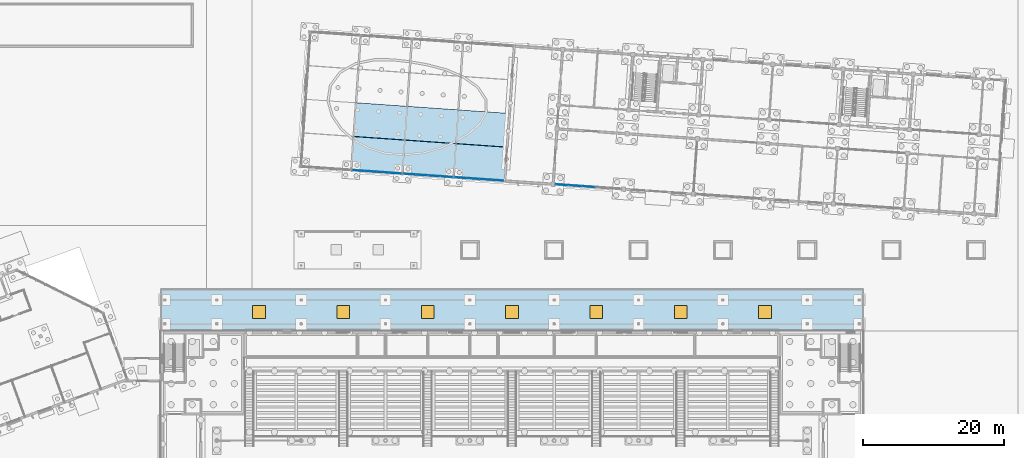
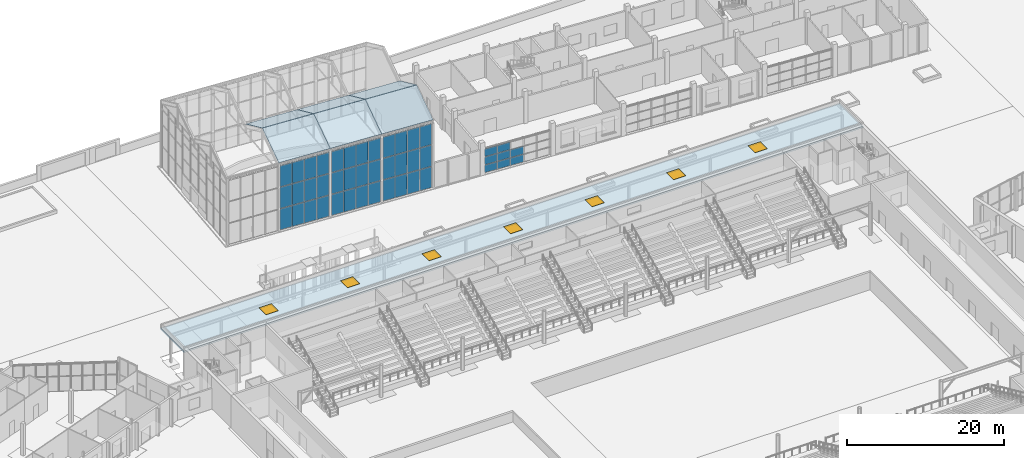
# One storey, part 68 of 157: 50 plates, 7 windows, 1 slab, 7 openings, 4 elements without a shape of their own.
"""IFC4 building model written with IfcOpenShell, lengths in metres."""

from ifc_helpers import new_model, si_unit, direction, frame, origin, origin_2d, place, context, subcontext, project, spatial, polyline, rectangle, outline, extrude, material, layer, layer_set, type_object, element, fill, aggregate, save


model = new_model("IFC4")

# Units and contexts
model_context = context("Model", 3, precision=1e-05, world=origin(), true_north=direction((0.0, 1.0)))
body_context = subcontext(model_context, "Body", "Model", "MODEL_VIEW")
ifc_project = project(units=[si_unit("LENGTHUNIT", "METRE"), si_unit("AREAUNIT", "SQUARE_METRE"), si_unit("VOLUMEUNIT", "CUBIC_METRE"), si_unit("PLANEANGLEUNIT", "RADIAN"), si_unit("MASSUNIT", "GRAM", prefix="KILO")], contexts=[model_context])

# Site, building, storey
site_placement = place(None, origin())
site = spatial("IfcSite", under=ifc_project, at=site_placement, CompositionType="ELEMENT")
building_placement = place(site_placement, origin())
building = spatial("IfcBuilding", under=site, at=building_placement, Name="Windward Yard Aquatics Centre", CompositionType="ELEMENT")
storey_placement = place(building_placement, origin())
storey = spatial("IfcBuildingStorey", under=building, at=storey_placement, Name="L00", CompositionType="ELEMENT", Elevation=0.0)

# Slab, openings, windows
ifc_material_1 = material(Name="Bituminous waterproofing membrane with root barrier")
ifc_layer_1 = layer(ifc_material_1, 0.005, Name="Waterproofing")
ifc_material_2 = material(Name="Mineral wool insulation")
ifc_layer_2 = layer(ifc_material_2, 0.08, Name="Insulation")
ifc_material_3 = material(Name="Cement screed laid to falls")
ifc_layer_3 = layer(ifc_material_3, 0.04, Name="Falls")
ifc_material_4 = material(Name="Concrete C35/45", Category="concrete")
ifc_layer_4 = layer(ifc_material_4, 0.125, Name="Structure")
ifc_layer_set_1 = layer_set([ifc_layer_1, ifc_layer_2, ifc_layer_3, ifc_layer_4], Name="A arcade roof slab 250")
slab_type = type_object("IfcSlabType", Name="A arcade roof slab 250", PredefinedType="ROOF", material=ifc_layer_set_1)
slab_placement = place(storey_placement, frame((0.0, 0.0, 4.35009765625)))
slab = element("IfcSlab", 1, at=slab_placement, inside=storey, type_object=slab_type, Name="A.S.ROOF", PredefinedType="ROOF", context=body_context, shape_type="SweptSolid", body=[
    extrude(outline(polyline([(52.0, 96.0), (152.0, 96.0), (152.0, 102.0), (52.0, 102.0), (52.0, 96.0)])), origin(), (0.0, 0.0, 1.0), 0.25),
])
opening_1_placement = place(slab_placement, frame((66.0, 98.699951171875, 0.0)))
opening_1 = element("IfcOpeningElement", 2, at=opening_1_placement, cuts=slab, Name="Opening ASK01", PredefinedType="OPENING", context=body_context, shape_type="SweptSolid", body=[
    extrude(rectangle(XDim=1.800048828125, YDim=1.800048828125, at=origin_2d()), origin(), (0.0, 0.0, 1.0), 0.25),
])
opening_2_placement = place(slab_placement, frame((78.0, 98.699951171875, 0.0)))
opening_2 = element("IfcOpeningElement", 3, at=opening_2_placement, cuts=slab, Name="Opening ASK02", PredefinedType="OPENING", context=body_context, shape_type="SweptSolid", body=[
    extrude(rectangle(XDim=1.800048828125, YDim=1.800048828125, at=origin_2d()), origin(), (0.0, 0.0, 1.0), 0.25),
])
opening_3_placement = place(slab_placement, frame((90.0, 98.699951171875, 0.0)))
opening_3 = element("IfcOpeningElement", 4, at=opening_3_placement, cuts=slab, Name="Opening ASK03", PredefinedType="OPENING", context=body_context, shape_type="SweptSolid", body=[
    extrude(rectangle(XDim=1.800048828125, YDim=1.800048828125, at=origin_2d()), origin(), (0.0, 0.0, 1.0), 0.25),
])
opening_4_placement = place(slab_placement, frame((102.0, 98.699951171875, 0.0)))
opening_4 = element("IfcOpeningElement", 5, at=opening_4_placement, cuts=slab, Name="Opening ASK04", PredefinedType="OPENING", context=body_context, shape_type="SweptSolid", body=[
    extrude(rectangle(XDim=1.800048828125, YDim=1.800048828125, at=origin_2d()), origin(), (0.0, 0.0, 1.0), 0.25),
])
opening_5_placement = place(slab_placement, frame((114.0, 98.699951171875, 0.0)))
opening_5 = element("IfcOpeningElement", 6, at=opening_5_placement, cuts=slab, Name="Opening ASK05", PredefinedType="OPENING", context=body_context, shape_type="SweptSolid", body=[
    extrude(rectangle(XDim=1.800048828125, YDim=1.800048828125, at=origin_2d()), origin(), (0.0, 0.0, 1.0), 0.25),
])
opening_6_placement = place(slab_placement, frame((126.0, 98.699951171875, 0.0)))
opening_6 = element("IfcOpeningElement", 7, at=opening_6_placement, cuts=slab, Name="Opening ASK06", PredefinedType="OPENING", context=body_context, shape_type="SweptSolid", body=[
    extrude(rectangle(XDim=1.800048828125, YDim=1.800048828125, at=origin_2d()), origin(), (0.0, 0.0, 1.0), 0.25),
])
opening_7_placement = place(slab_placement, frame((138.0, 98.699951171875, 0.0)))
opening_7 = element("IfcOpeningElement", 8, at=opening_7_placement, cuts=slab, Name="Opening ASK07", PredefinedType="OPENING", context=body_context, shape_type="SweptSolid", body=[
    extrude(rectangle(XDim=1.800048828125, YDim=1.800048828125, at=origin_2d()), origin(), (0.0, 0.0, 1.0), 0.25),
])
ifc_material_5 = material(Name="Aluminium framed laminated glazing", Category="aluminium")
window_type = type_object("IfcWindowType", Name="A skylight 1800X1800", PartitioningType="SINGLE_PANEL", PredefinedType="SKYLIGHT", material=ifc_material_5)
window_1_placement = place(opening_1_placement, frame((0.0, 0.0, 0.199951171875)))
window_1 = element("IfcWindow", 9, at=window_1_placement, inside=storey, type_object=window_type, Name="Arcade roof light 1", OverallHeight=1.800048828125, OverallWidth=1.800048828125, PartitioningType="SINGLE_PANEL", PredefinedType="SKYLIGHT", context=body_context, shape_type="SweptSolid", body=[
    extrude(rectangle(XDim=1.800048828125, YDim=1.800048828125, at=origin_2d()), origin(), (0.0, 0.0, 1.0), 0.050048828125),
])
fill(opening_1, window_1)
window_2_placement = place(opening_2_placement, frame((0.0, 0.0, 0.199951171875)))
window_2 = element("IfcWindow", 10, at=window_2_placement, inside=storey, type_object=window_type, Name="Arcade roof light 2", OverallHeight=1.800048828125, OverallWidth=1.800048828125, PartitioningType="SINGLE_PANEL", PredefinedType="SKYLIGHT", context=body_context, shape_type="SweptSolid", body=[
    extrude(rectangle(XDim=1.800048828125, YDim=1.800048828125, at=origin_2d()), origin(), (0.0, 0.0, 1.0), 0.050048828125),
])
fill(opening_2, window_2)
window_3_placement = place(opening_3_placement, frame((0.0, 0.0, 0.199951171875)))
window_3 = element("IfcWindow", 11, at=window_3_placement, inside=storey, type_object=window_type, Name="Arcade roof light 3", OverallHeight=1.800048828125, OverallWidth=1.800048828125, PartitioningType="SINGLE_PANEL", PredefinedType="SKYLIGHT", context=body_context, shape_type="SweptSolid", body=[
    extrude(rectangle(XDim=1.800048828125, YDim=1.800048828125, at=origin_2d()), origin(), (0.0, 0.0, 1.0), 0.050048828125),
])
fill(opening_3, window_3)
window_4_placement = place(opening_4_placement, frame((0.0, 0.0, 0.199951171875)))
window_4 = element("IfcWindow", 12, at=window_4_placement, inside=storey, type_object=window_type, Name="Arcade roof light 4", OverallHeight=1.800048828125, OverallWidth=1.800048828125, PartitioningType="SINGLE_PANEL", PredefinedType="SKYLIGHT", context=body_context, shape_type="SweptSolid", body=[
    extrude(rectangle(XDim=1.800048828125, YDim=1.800048828125, at=origin_2d()), origin(), (0.0, 0.0, 1.0), 0.050048828125),
])
fill(opening_4, window_4)
window_5_placement = place(opening_5_placement, frame((0.0, 0.0, 0.199951171875)))
window_5 = element("IfcWindow", 13, at=window_5_placement, inside=storey, type_object=window_type, Name="Arcade roof light 5", OverallHeight=1.800048828125, OverallWidth=1.800048828125, PartitioningType="SINGLE_PANEL", PredefinedType="SKYLIGHT", context=body_context, shape_type="SweptSolid", body=[
    extrude(rectangle(XDim=1.800048828125, YDim=1.800048828125, at=origin_2d()), origin(), (0.0, 0.0, 1.0), 0.050048828125),
])
fill(opening_5, window_5)
window_6_placement = place(opening_6_placement, frame((0.0, 0.0, 0.199951171875)))
window_6 = element("IfcWindow", 14, at=window_6_placement, inside=storey, type_object=window_type, Name="Arcade roof light 6", OverallHeight=1.800048828125, OverallWidth=1.800048828125, PartitioningType="SINGLE_PANEL", PredefinedType="SKYLIGHT", context=body_context, shape_type="SweptSolid", body=[
    extrude(rectangle(XDim=1.800048828125, YDim=1.800048828125, at=origin_2d()), origin(), (0.0, 0.0, 1.0), 0.050048828125),
])
fill(opening_6, window_6)
window_7_placement = place(opening_7_placement, frame((0.0, 0.0, 0.199951171875)))
window_7 = element("IfcWindow", 15, at=window_7_placement, inside=storey, type_object=window_type, Name="Arcade roof light 7", OverallHeight=1.800048828125, OverallWidth=1.800048828125, PartitioningType="SINGLE_PANEL", PredefinedType="SKYLIGHT", context=body_context, shape_type="SweptSolid", body=[
    extrude(rectangle(XDim=1.800048828125, YDim=1.800048828125, at=origin_2d()), origin(), (0.0, 0.0, 1.0), 0.050048828125),
])
fill(opening_7, window_7)

# Curtain wall, plates
ifc_material_6 = material(Name="Aluminium curtain wall system", Category="aluminium")
curtain_wall_type = type_object("IfcCurtainWallType", Name="W curtain wall 1900", PredefinedType="NOTDEFINED", material=ifc_material_6)
curtain_wall_1_placement = place(storey_placement, origin())
curtain_wall_1 = element("IfcCurtainWall", 16, at=curtain_wall_1_placement, inside=storey, type_object=curtain_wall_type, Name="Wing south glazing L00 1", PredefinedType="NOTDEFINED")
ifc_material_7 = material(Name="Double glazed unit")
ifc_layer_5 = layer(ifc_material_7, 0.028076171875)
ifc_layer_set_2 = layer_set([ifc_layer_5], Name="W CW panel IGU 28")
plate_type_1 = type_object("IfcPlateType", Name="W CW panel IGU 28", PredefinedType="CURTAIN_PANEL", material=ifc_layer_set_2)
plate_1_placement = place(storey_placement, frame((109.115234375, 116.777587890625, 0.06005859375), z_axis=(0.0, 0.0, 1.0), x_axis=(0.997564129531, -0.069755340111, 0.0)))
plate_1 = element("IfcPlate", 17, at=plate_1_placement, type_object=plate_type_1, Name="WCW1 panel 1.1", PredefinedType="CURTAIN_PANEL", context=body_context, shape_type="SweptSolid", body=[
    extrude(rectangle(XDim=1.7900390625, YDim=0.028076171875, at=origin_2d()), origin(), (0.0, 0.0, 1.0), 1.1787109375),
])
plate_2_placement = place(storey_placement, frame((109.115234375, 116.777587890625, 1.298828125), z_axis=(0.0, 0.0, 1.0), x_axis=(0.997564129531, -0.069755340111, 0.0)))
plate_2 = element("IfcPlate", 18, at=plate_2_placement, type_object=plate_type_1, Name="WCW1 panel 1.2", PredefinedType="CURTAIN_PANEL", context=body_context, shape_type="SweptSolid", body=[
    extrude(rectangle(XDim=1.7900390625, YDim=0.028076171875, at=origin_2d()), origin(), (0.0, 0.0, 1.0), 1.20849609375),
])
plate_3_placement = place(storey_placement, frame((109.115234375, 116.777587890625, 2.5673828125), z_axis=(0.0, 0.0, 1.0), x_axis=(0.997564129531, -0.069755340111, 0.0)))
plate_3 = element("IfcPlate", 19, at=plate_3_placement, type_object=plate_type_1, Name="WCW1 panel 1.3", PredefinedType="CURTAIN_PANEL", context=body_context, shape_type="SweptSolid", body=[
    extrude(rectangle(XDim=1.7900390625, YDim=0.028076171875, at=origin_2d()), origin(), (0.0, 0.0, 1.0), 1.1787109375),
])
plate_4_placement = place(storey_placement, frame((110.9755859375, 116.6474609375, 0.06005859375), z_axis=(0.0, 0.0, 1.0), x_axis=(0.997564129531, -0.069755340111, 0.0)))
plate_4 = element("IfcPlate", 20, at=plate_4_placement, type_object=plate_type_1, Name="WCW1 panel 2.1", PredefinedType="CURTAIN_PANEL", context=body_context, shape_type="SweptSolid", body=[
    extrude(rectangle(XDim=1.820068359375, YDim=0.028076171875, at=origin_2d()), origin(), (0.0, 0.0, 1.0), 1.1787109375),
])
plate_5_placement = place(storey_placement, frame((110.9755859375, 116.6474609375, 1.298828125), z_axis=(0.0, 0.0, 1.0), x_axis=(0.997564129531, -0.069755340111, 0.0)))
plate_5 = element("IfcPlate", 21, at=plate_5_placement, type_object=plate_type_1, Name="WCW1 panel 2.2", PredefinedType="CURTAIN_PANEL", context=body_context, shape_type="SweptSolid", body=[
    extrude(rectangle(XDim=1.820068359375, YDim=0.028076171875, at=origin_2d()), origin(), (0.0, 0.0, 1.0), 1.20849609375),
])
plate_6_placement = place(storey_placement, frame((110.9755859375, 116.6474609375, 2.5673828125), z_axis=(0.0, 0.0, 1.0), x_axis=(0.997564129531, -0.069755340111, 0.0)))
plate_6 = element("IfcPlate", 22, at=plate_6_placement, type_object=plate_type_1, Name="WCW1 panel 2.3", PredefinedType="CURTAIN_PANEL", context=body_context, shape_type="SweptSolid", body=[
    extrude(rectangle(XDim=1.820068359375, YDim=0.028076171875, at=origin_2d()), origin(), (0.0, 0.0, 1.0), 1.1787109375),
])
plate_7_placement = place(storey_placement, frame((112.85107421875, 116.516357421875, 0.06005859375), z_axis=(0.0, 0.0, 1.0), x_axis=(0.997564129531, -0.069755340111, 0.0)))
plate_7 = element("IfcPlate", 23, at=plate_7_placement, type_object=plate_type_1, Name="WCW1 panel 3.1", PredefinedType="CURTAIN_PANEL", context=body_context, shape_type="SweptSolid", body=[
    extrude(rectangle(XDim=1.820068359375, YDim=0.028076171875, at=origin_2d()), origin(), (0.0, 0.0, 1.0), 1.1787109375),
])
plate_8_placement = place(storey_placement, frame((112.85107421875, 116.516357421875, 1.298828125), z_axis=(0.0, 0.0, 1.0), x_axis=(0.997564129531, -0.069755340111, 0.0)))
plate_8 = element("IfcPlate", 24, at=plate_8_placement, type_object=plate_type_1, Name="WCW1 panel 3.2", PredefinedType="CURTAIN_PANEL", context=body_context, shape_type="SweptSolid", body=[
    extrude(rectangle(XDim=1.820068359375, YDim=0.028076171875, at=origin_2d()), origin(), (0.0, 0.0, 1.0), 1.20849609375),
])
aggregate(curtain_wall_1, [plate_1, plate_2, plate_3, plate_4, plate_5, plate_6, plate_7, plate_8])

curtain_wall_2_placement = place(storey_placement, origin())
curtain_wall_2 = element("IfcCurtainWall", 25, at=curtain_wall_2_placement, inside=storey, type_object=curtain_wall_type, Name="Wing south glazing L00 5", PredefinedType="NOTDEFINED")
plate_9_placement = place(storey_placement, frame((80.153564453125, 118.802734375, 0.06005859375), z_axis=(0.0, 0.0, 1.0), x_axis=(0.997564065823, -0.069756251182, 0.0)))
plate_9 = element("IfcPlate", 26, at=plate_9_placement, type_object=plate_type_1, Name="WCW1 panel 1.1", PredefinedType="CURTAIN_PANEL", context=body_context, shape_type="SweptSolid", body=[
    extrude(rectangle(XDim=1.67138671875, YDim=0.028076171875, at=origin_2d()), origin(), (0.0, 0.0, 1.0), 3.27587890625),
])
plate_10_placement = place(storey_placement, frame((80.153564453125, 118.802734375, 3.39599609375), z_axis=(0.0, 0.0, 1.0), x_axis=(0.997564065823, -0.069756251182, 0.0)))
plate_10 = element("IfcPlate", 27, at=plate_10_placement, type_object=plate_type_1, Name="WCW1 panel 1.2", PredefinedType="CURTAIN_PANEL", context=body_context, shape_type="SweptSolid", body=[
    extrude(rectangle(XDim=1.67138671875, YDim=0.028076171875, at=origin_2d()), origin(), (0.0, 0.0, 1.0), 3.305908203125),
])
plate_11_placement = place(storey_placement, frame((80.153564453125, 118.802734375, 6.761962890625), z_axis=(0.0, 0.0, 1.0), x_axis=(0.997564065823, -0.069756251182, 0.0)))
plate_11 = element("IfcPlate", 28, at=plate_11_placement, type_object=plate_type_1, Name="WCW1 panel 1.3", PredefinedType="CURTAIN_PANEL", context=body_context, shape_type="SweptSolid", body=[
    extrude(rectangle(XDim=1.67138671875, YDim=0.028076171875, at=origin_2d()), origin(), (0.0, 0.0, 1.0), 3.27587890625),
])
plate_12_placement = place(storey_placement, frame((81.89599609375, 118.680908203125, 0.06005859375), z_axis=(0.0, 0.0, 1.0), x_axis=(0.997564065823, -0.069756251182, 0.0)))
plate_12 = element("IfcPlate", 29, at=plate_12_placement, type_object=plate_type_1, Name="WCW1 panel 2.1", PredefinedType="CURTAIN_PANEL", context=body_context, shape_type="SweptSolid", body=[
    extrude(rectangle(XDim=1.701416015625, YDim=0.028076171875, at=origin_2d()), origin(), (0.0, 0.0, 1.0), 3.27587890625),
])
plate_13_placement = place(storey_placement, frame((81.89599609375, 118.680908203125, 3.39599609375), z_axis=(0.0, 0.0, 1.0), x_axis=(0.997564065823, -0.069756251182, 0.0)))
plate_13 = element("IfcPlate", 30, at=plate_13_placement, type_object=plate_type_1, Name="WCW1 panel 2.2", PredefinedType="CURTAIN_PANEL", context=body_context, shape_type="SweptSolid", body=[
    extrude(rectangle(XDim=1.701416015625, YDim=0.028076171875, at=origin_2d()), origin(), (0.0, 0.0, 1.0), 3.305908203125),
])
plate_14_placement = place(storey_placement, frame((81.89599609375, 118.680908203125, 6.761962890625), z_axis=(0.0, 0.0, 1.0), x_axis=(0.997564065823, -0.069756251182, 0.0)))
plate_14 = element("IfcPlate", 31, at=plate_14_placement, type_object=plate_type_1, Name="WCW1 panel 2.3", PredefinedType="CURTAIN_PANEL", context=body_context, shape_type="SweptSolid", body=[
    extrude(rectangle(XDim=1.701416015625, YDim=0.028076171875, at=origin_2d()), origin(), (0.0, 0.0, 1.0), 3.27587890625),
])
plate_15_placement = place(storey_placement, frame((83.653076171875, 118.55810546875, 0.06005859375), z_axis=(0.0, 0.0, 1.0), x_axis=(0.997564065823, -0.069756251182, 0.0)))
plate_15 = element("IfcPlate", 32, at=plate_15_placement, type_object=plate_type_1, Name="WCW1 panel 3.1", PredefinedType="CURTAIN_PANEL", context=body_context, shape_type="SweptSolid", body=[
    extrude(rectangle(XDim=1.701416015625, YDim=0.028076171875, at=origin_2d()), origin(), (0.0, 0.0, 1.0), 3.27587890625),
])
plate_16_placement = place(storey_placement, frame((83.653076171875, 118.55810546875, 3.39599609375), z_axis=(0.0, 0.0, 1.0), x_axis=(0.997564065823, -0.069756251182, 0.0)))
plate_16 = element("IfcPlate", 33, at=plate_16_placement, type_object=plate_type_1, Name="WCW1 panel 3.2", PredefinedType="CURTAIN_PANEL", context=body_context, shape_type="SweptSolid", body=[
    extrude(rectangle(XDim=1.701416015625, YDim=0.028076171875, at=origin_2d()), origin(), (0.0, 0.0, 1.0), 3.305908203125),
])
plate_17_placement = place(storey_placement, frame((83.653076171875, 118.55810546875, 6.761962890625), z_axis=(0.0, 0.0, 1.0), x_axis=(0.997564065823, -0.069756251182, 0.0)))
plate_17 = element("IfcPlate", 34, at=plate_17_placement, type_object=plate_type_1, Name="WCW1 panel 3.3", PredefinedType="CURTAIN_PANEL", context=body_context, shape_type="SweptSolid", body=[
    extrude(rectangle(XDim=1.701416015625, YDim=0.028076171875, at=origin_2d()), origin(), (0.0, 0.0, 1.0), 3.27587890625),
])
plate_18_placement = place(storey_placement, frame((85.395263671875, 118.436279296875, 0.06005859375), z_axis=(0.0, 0.0, 1.0), x_axis=(0.997564065823, -0.069756251182, 0.0)))
plate_18 = element("IfcPlate", 35, at=plate_18_placement, type_object=plate_type_1, Name="WCW1 panel 4.1", PredefinedType="CURTAIN_PANEL", context=body_context, shape_type="SweptSolid", body=[
    extrude(rectangle(XDim=1.67138671875, YDim=0.028076171875, at=origin_2d()), origin(), (0.0, 0.0, 1.0), 3.27587890625),
])
plate_19_placement = place(storey_placement, frame((85.395263671875, 118.436279296875, 3.39599609375), z_axis=(0.0, 0.0, 1.0), x_axis=(0.997564065823, -0.069756251182, 0.0)))
plate_19 = element("IfcPlate", 36, at=plate_19_placement, type_object=plate_type_1, Name="WCW1 panel 4.2", PredefinedType="CURTAIN_PANEL", context=body_context, shape_type="SweptSolid", body=[
    extrude(rectangle(XDim=1.67138671875, YDim=0.028076171875, at=origin_2d()), origin(), (0.0, 0.0, 1.0), 3.305908203125),
])
plate_20_placement = place(storey_placement, frame((85.395263671875, 118.436279296875, 6.761962890625), z_axis=(0.0, 0.0, 1.0), x_axis=(0.997564065823, -0.069756251182, 0.0)))
plate_20 = element("IfcPlate", 37, at=plate_20_placement, type_object=plate_type_1, Name="WCW1 panel 4.3", PredefinedType="CURTAIN_PANEL", context=body_context, shape_type="SweptSolid", body=[
    extrude(rectangle(XDim=1.67138671875, YDim=0.028076171875, at=origin_2d()), origin(), (0.0, 0.0, 1.0), 3.27587890625),
])
aggregate(curtain_wall_2, [plate_9, plate_10, plate_11, plate_12, plate_13, plate_14, plate_15, plate_16, plate_17, plate_18, plate_19, plate_20])

curtain_wall_3_placement = place(storey_placement, origin())
curtain_wall_3 = element("IfcCurtainWall", 38, at=curtain_wall_3_placement, inside=storey, type_object=curtain_wall_type, Name="Wing south glazing L00 6", PredefinedType="NOTDEFINED")
plate_21_placement = place(storey_placement, frame((87.435791015625, 118.29345703125, 0.06005859375), z_axis=(0.0, 0.0, 1.0), x_axis=(0.997564065823, -0.069756251182, 0.0)))
plate_21 = element("IfcPlate", 39, at=plate_21_placement, type_object=plate_type_1, Name="WCW1 panel 1.1", PredefinedType="CURTAIN_PANEL", context=body_context, shape_type="SweptSolid", body=[
    extrude(rectangle(XDim=1.67138671875, YDim=0.028076171875, at=origin_2d()), origin(), (0.0, 0.0, 1.0), 3.27587890625),
])
plate_22_placement = place(storey_placement, frame((87.435791015625, 118.29345703125, 3.39599609375), z_axis=(0.0, 0.0, 1.0), x_axis=(0.997564065823, -0.069756251182, 0.0)))
plate_22 = element("IfcPlate", 40, at=plate_22_placement, type_object=plate_type_1, Name="WCW1 panel 1.2", PredefinedType="CURTAIN_PANEL", context=body_context, shape_type="SweptSolid", body=[
    extrude(rectangle(XDim=1.67138671875, YDim=0.028076171875, at=origin_2d()), origin(), (0.0, 0.0, 1.0), 3.305908203125),
])
plate_23_placement = place(storey_placement, frame((87.435791015625, 118.29345703125, 6.761962890625), z_axis=(0.0, 0.0, 1.0), x_axis=(0.997564065823, -0.069756251182, 0.0)))
plate_23 = element("IfcPlate", 41, at=plate_23_placement, type_object=plate_type_1, Name="WCW1 panel 1.3", PredefinedType="CURTAIN_PANEL", context=body_context, shape_type="SweptSolid", body=[
    extrude(rectangle(XDim=1.67138671875, YDim=0.028076171875, at=origin_2d()), origin(), (0.0, 0.0, 1.0), 3.27587890625),
])
plate_24_placement = place(storey_placement, frame((89.177978515625, 118.171630859375, 0.06005859375), z_axis=(0.0, 0.0, 1.0), x_axis=(0.997564065823, -0.069756251182, 0.0)))
plate_24 = element("IfcPlate", 42, at=plate_24_placement, type_object=plate_type_1, Name="WCW1 panel 2.1", PredefinedType="CURTAIN_PANEL", context=body_context, shape_type="SweptSolid", body=[
    extrude(rectangle(XDim=1.701416015625, YDim=0.028076171875, at=origin_2d()), origin(), (0.0, 0.0, 1.0), 3.27587890625),
])
plate_25_placement = place(storey_placement, frame((89.177978515625, 118.171630859375, 3.39599609375), z_axis=(0.0, 0.0, 1.0), x_axis=(0.997564065823, -0.069756251182, 0.0)))
plate_25 = element("IfcPlate", 43, at=plate_25_placement, type_object=plate_type_1, Name="WCW1 panel 2.2", PredefinedType="CURTAIN_PANEL", context=body_context, shape_type="SweptSolid", body=[
    extrude(rectangle(XDim=1.701416015625, YDim=0.028076171875, at=origin_2d()), origin(), (0.0, 0.0, 1.0), 3.305908203125),
])
plate_26_placement = place(storey_placement, frame((89.177978515625, 118.171630859375, 6.761962890625), z_axis=(0.0, 0.0, 1.0), x_axis=(0.997564065823, -0.069756251182, 0.0)))
plate_26 = element("IfcPlate", 44, at=plate_26_placement, type_object=plate_type_1, Name="WCW1 panel 2.3", PredefinedType="CURTAIN_PANEL", context=body_context, shape_type="SweptSolid", body=[
    extrude(rectangle(XDim=1.701416015625, YDim=0.028076171875, at=origin_2d()), origin(), (0.0, 0.0, 1.0), 3.27587890625),
])
plate_27_placement = place(storey_placement, frame((90.935302734375, 118.048828125, 0.06005859375), z_axis=(0.0, 0.0, 1.0), x_axis=(0.997564065823, -0.069756251182, 0.0)))
plate_27 = element("IfcPlate", 45, at=plate_27_placement, type_object=plate_type_1, Name="WCW1 panel 3.1", PredefinedType="CURTAIN_PANEL", context=body_context, shape_type="SweptSolid", body=[
    extrude(rectangle(XDim=1.701416015625, YDim=0.028076171875, at=origin_2d()), origin(), (0.0, 0.0, 1.0), 3.27587890625),
])
plate_28_placement = place(storey_placement, frame((90.935302734375, 118.048828125, 3.39599609375), z_axis=(0.0, 0.0, 1.0), x_axis=(0.997564065823, -0.069756251182, 0.0)))
plate_28 = element("IfcPlate", 46, at=plate_28_placement, type_object=plate_type_1, Name="WCW1 panel 3.2", PredefinedType="CURTAIN_PANEL", context=body_context, shape_type="SweptSolid", body=[
    extrude(rectangle(XDim=1.701416015625, YDim=0.028076171875, at=origin_2d()), origin(), (0.0, 0.0, 1.0), 3.305908203125),
])
plate_29_placement = place(storey_placement, frame((90.935302734375, 118.048828125, 6.761962890625), z_axis=(0.0, 0.0, 1.0), x_axis=(0.997564065823, -0.069756251182, 0.0)))
plate_29 = element("IfcPlate", 47, at=plate_29_placement, type_object=plate_type_1, Name="WCW1 panel 3.3", PredefinedType="CURTAIN_PANEL", context=body_context, shape_type="SweptSolid", body=[
    extrude(rectangle(XDim=1.701416015625, YDim=0.028076171875, at=origin_2d()), origin(), (0.0, 0.0, 1.0), 3.27587890625),
])
plate_30_placement = place(storey_placement, frame((92.677490234375, 117.927001953125, 0.06005859375), z_axis=(0.0, 0.0, 1.0), x_axis=(0.997564065823, -0.069756251182, 0.0)))
plate_30 = element("IfcPlate", 48, at=plate_30_placement, type_object=plate_type_1, Name="WCW1 panel 4.1", PredefinedType="CURTAIN_PANEL", context=body_context, shape_type="SweptSolid", body=[
    extrude(rectangle(XDim=1.67138671875, YDim=0.028076171875, at=origin_2d()), origin(), (0.0, 0.0, 1.0), 3.27587890625),
])
plate_31_placement = place(storey_placement, frame((92.677490234375, 117.927001953125, 3.39599609375), z_axis=(0.0, 0.0, 1.0), x_axis=(0.997564065823, -0.069756251182, 0.0)))
plate_31 = element("IfcPlate", 49, at=plate_31_placement, type_object=plate_type_1, Name="WCW1 panel 4.2", PredefinedType="CURTAIN_PANEL", context=body_context, shape_type="SweptSolid", body=[
    extrude(rectangle(XDim=1.67138671875, YDim=0.028076171875, at=origin_2d()), origin(), (0.0, 0.0, 1.0), 3.305908203125),
])
plate_32_placement = place(storey_placement, frame((92.677490234375, 117.927001953125, 6.761962890625), z_axis=(0.0, 0.0, 1.0), x_axis=(0.997564065823, -0.069756251182, 0.0)))
plate_32 = element("IfcPlate", 50, at=plate_32_placement, type_object=plate_type_1, Name="WCW1 panel 4.3", PredefinedType="CURTAIN_PANEL", context=body_context, shape_type="SweptSolid", body=[
    extrude(rectangle(XDim=1.67138671875, YDim=0.028076171875, at=origin_2d()), origin(), (0.0, 0.0, 1.0), 3.27587890625),
])
aggregate(curtain_wall_3, [plate_21, plate_22, plate_23, plate_24, plate_25, plate_26, plate_27, plate_28, plate_29, plate_30, plate_31, plate_32])

curtain_wall_4_placement = place(storey_placement, origin())
curtain_wall_4 = element("IfcCurtainWall", 51, at=curtain_wall_4_placement, inside=storey, type_object=curtain_wall_type, Name="Wing south glazing L00 7", PredefinedType="NOTDEFINED")
plate_33_placement = place(storey_placement, frame((94.715087890625, 117.784423828125, 0.06005859375), z_axis=(0.0, 0.0, 1.0), x_axis=(0.997564052754, -0.069756438069, 0.0)))
plate_33 = element("IfcPlate", 52, at=plate_33_placement, type_object=plate_type_1, Name="WCW1 panel 1.1", PredefinedType="CURTAIN_PANEL", context=body_context, shape_type="SweptSolid", body=[
    extrude(rectangle(XDim=1.665771484375, YDim=0.028076171875, at=origin_2d()), origin(), (0.0, 0.0, 1.0), 3.27587890625),
])
plate_34_placement = place(storey_placement, frame((94.715087890625, 117.784423828125, 3.39599609375), z_axis=(0.0, 0.0, 1.0), x_axis=(0.997564052754, -0.069756438069, 0.0)))
plate_34 = element("IfcPlate", 53, at=plate_34_placement, type_object=plate_type_1, Name="WCW1 panel 1.2", PredefinedType="CURTAIN_PANEL", context=body_context, shape_type="SweptSolid", body=[
    extrude(rectangle(XDim=1.665771484375, YDim=0.028076171875, at=origin_2d()), origin(), (0.0, 0.0, 1.0), 3.305908203125),
])
plate_35_placement = place(storey_placement, frame((94.715087890625, 117.784423828125, 6.761962890625), z_axis=(0.0, 0.0, 1.0), x_axis=(0.997564052754, -0.069756438069, 0.0)))
plate_35 = element("IfcPlate", 54, at=plate_35_placement, type_object=plate_type_1, Name="WCW1 panel 1.3", PredefinedType="CURTAIN_PANEL", context=body_context, shape_type="SweptSolid", body=[
    extrude(rectangle(XDim=1.665771484375, YDim=0.028076171875, at=origin_2d()), origin(), (0.0, 0.0, 1.0), 3.27587890625),
])
plate_36_placement = place(storey_placement, frame((96.45166015625, 117.6630859375, 0.06005859375), z_axis=(0.0, 0.0, 1.0), x_axis=(0.997564052754, -0.069756438069, 0.0)))
plate_36 = element("IfcPlate", 55, at=plate_36_placement, type_object=plate_type_1, Name="WCW1 panel 2.1", PredefinedType="CURTAIN_PANEL", context=body_context, shape_type="SweptSolid", body=[
    extrude(rectangle(XDim=1.69580078125, YDim=0.028076171875, at=origin_2d()), origin(), (0.0, 0.0, 1.0), 3.27587890625),
])
plate_37_placement = place(storey_placement, frame((96.45166015625, 117.6630859375, 3.39599609375), z_axis=(0.0, 0.0, 1.0), x_axis=(0.997564052754, -0.069756438069, 0.0)))
plate_37 = element("IfcPlate", 56, at=plate_37_placement, type_object=plate_type_1, Name="WCW1 panel 2.2", PredefinedType="CURTAIN_PANEL", context=body_context, shape_type="SweptSolid", body=[
    extrude(rectangle(XDim=1.69580078125, YDim=0.028076171875, at=origin_2d()), origin(), (0.0, 0.0, 1.0), 3.305908203125),
])
plate_38_placement = place(storey_placement, frame((96.45166015625, 117.6630859375, 6.761962890625), z_axis=(0.0, 0.0, 1.0), x_axis=(0.997564052754, -0.069756438069, 0.0)))
plate_38 = element("IfcPlate", 57, at=plate_38_placement, type_object=plate_type_1, Name="WCW1 panel 2.3", PredefinedType="CURTAIN_PANEL", context=body_context, shape_type="SweptSolid", body=[
    extrude(rectangle(XDim=1.69580078125, YDim=0.028076171875, at=origin_2d()), origin(), (0.0, 0.0, 1.0), 3.27587890625),
])
plate_39_placement = place(storey_placement, frame((98.203125, 117.54052734375, 0.06005859375), z_axis=(0.0, 0.0, 1.0), x_axis=(0.997564052754, -0.069756438069, 0.0)))
plate_39 = element("IfcPlate", 58, at=plate_39_placement, type_object=plate_type_1, Name="WCW1 panel 3.1", PredefinedType="CURTAIN_PANEL", context=body_context, shape_type="SweptSolid", body=[
    extrude(rectangle(XDim=1.69580078125, YDim=0.028076171875, at=origin_2d()), origin(), (0.0, 0.0, 1.0), 3.27587890625),
])
plate_40_placement = place(storey_placement, frame((98.203125, 117.54052734375, 3.39599609375), z_axis=(0.0, 0.0, 1.0), x_axis=(0.997564052754, -0.069756438069, 0.0)))
plate_40 = element("IfcPlate", 59, at=plate_40_placement, type_object=plate_type_1, Name="WCW1 panel 3.2", PredefinedType="CURTAIN_PANEL", context=body_context, shape_type="SweptSolid", body=[
    extrude(rectangle(XDim=1.69580078125, YDim=0.028076171875, at=origin_2d()), origin(), (0.0, 0.0, 1.0), 3.305908203125),
])
plate_41_placement = place(storey_placement, frame((98.203125, 117.54052734375, 6.761962890625), z_axis=(0.0, 0.0, 1.0), x_axis=(0.997564052754, -0.069756438069, 0.0)))
plate_41 = element("IfcPlate", 60, at=plate_41_placement, type_object=plate_type_1, Name="WCW1 panel 3.3", PredefinedType="CURTAIN_PANEL", context=body_context, shape_type="SweptSolid", body=[
    extrude(rectangle(XDim=1.69580078125, YDim=0.028076171875, at=origin_2d()), origin(), (0.0, 0.0, 1.0), 3.27587890625),
])
plate_42_placement = place(storey_placement, frame((99.939697265625, 117.419189453125, 0.06005859375), z_axis=(0.0, 0.0, 1.0), x_axis=(0.997564052754, -0.069756438069, 0.0)))
plate_42 = element("IfcPlate", 61, at=plate_42_placement, type_object=plate_type_1, Name="WCW1 panel 4.1", PredefinedType="CURTAIN_PANEL", context=body_context, shape_type="SweptSolid", body=[
    extrude(rectangle(XDim=1.665771484375, YDim=0.028076171875, at=origin_2d()), origin(), (0.0, 0.0, 1.0), 3.27587890625),
])
plate_43_placement = place(storey_placement, frame((99.939697265625, 117.419189453125, 3.39599609375), z_axis=(0.0, 0.0, 1.0), x_axis=(0.997564052754, -0.069756438069, 0.0)))
plate_43 = element("IfcPlate", 62, at=plate_43_placement, type_object=plate_type_1, Name="WCW1 panel 4.2", PredefinedType="CURTAIN_PANEL", context=body_context, shape_type="SweptSolid", body=[
    extrude(rectangle(XDim=1.665771484375, YDim=0.028076171875, at=origin_2d()), origin(), (0.0, 0.0, 1.0), 3.305908203125),
])
plate_44_placement = place(storey_placement, frame((99.939697265625, 117.419189453125, 6.761962890625), z_axis=(0.0, 0.0, 1.0), x_axis=(0.997564052754, -0.069756438069, 0.0)))
plate_44 = element("IfcPlate", 63, at=plate_44_placement, type_object=plate_type_1, Name="WCW1 panel 4.3", PredefinedType="CURTAIN_PANEL", context=body_context, shape_type="SweptSolid", body=[
    extrude(rectangle(XDim=1.665771484375, YDim=0.028076171875, at=origin_2d()), origin(), (0.0, 0.0, 1.0), 3.27587890625),
])
aggregate(curtain_wall_4, [plate_33, plate_34, plate_35, plate_36, plate_37, plate_38, plate_39, plate_40, plate_41, plate_42, plate_43, plate_44])

# Plates
ifc_material_8 = material(Name="Laminated glass", Category="glass")
ifc_layer_6 = layer(ifc_material_8, 0.0400390625)
ifc_layer_set_3 = layer_set([ifc_layer_6], Name="W glazed roof panel 40")
plate_type_2 = type_object("IfcPlateType", Name="W glazed roof panel 40", PredefinedType="SHEET", material=ifc_layer_set_3)
plate_45_placement = place(storey_placement, frame((79.132080078125, 118.856201171875, 10.535888671875), z_axis=(-0.031198183162, -0.446107098442, 0.894435648936), x_axis=(0.997563531133, -0.069763897209, 0.0)))
element("IfcPlate", 64, at=plate_45_placement, inside=storey, type_object=plate_type_2, Name="W.GRP.2.1", PredefinedType="SHEET", context=body_context, shape_type="SweptSolid", body=[
    extrude(outline(polyline([(0.0, 0.0), (7.300013, 0.0), (7.300105, 5.366548), (9.2e-05, 5.366548), (0.0, 0.0)])), origin(), (0.0, 0.0, -1.0), 0.0400390625),
])
plate_46_placement = place(storey_placement, frame((79.469482421875, 123.68017578125, 12.935791015625), z_axis=(0.031198271725, 0.446108364825, 0.894435014227), x_axis=(0.997563531133, -0.069763897209, 0.0)))
element("IfcPlate", 65, at=plate_46_placement, inside=storey, type_object=plate_type_2, Name="W.GRP.2.2", PredefinedType="SHEET", context=body_context, shape_type="SweptSolid", body=[
    extrude(outline(polyline([(0.0, 0.0), (7.300013, 0.0), (7.299862, 5.366533), (-0.000151, 5.366533), (0.0, 0.0)])), origin(), (0.0, 0.0, -1.0), 0.0400390625),
])
plate_47_placement = place(storey_placement, frame((86.414306640625, 118.346923828125, 10.535888671875), z_axis=(-0.031183299946, -0.446108139469, 0.894435648722), x_axis=(0.997565858073, -0.069730616001, 0.0)))
element("IfcPlate", 66, at=plate_47_placement, inside=storey, type_object=plate_type_2, Name="W.GRP.3.1", PredefinedType="SHEET", context=body_context, shape_type="SweptSolid", body=[
    extrude(outline(polyline([(0.0, 0.0), (7.299996, 0.0), (7.300248, 5.366548), (0.000252, 5.366548), (0.0, 0.0)])), origin(), (0.0, 0.0, -1.0), 0.0400390625),
])
plate_48_placement = place(storey_placement, frame((86.751708984375, 123.1708984375, 12.935791015625), z_axis=(0.031183388425, 0.446109405251, 0.894435014315), x_axis=(0.997565858073, -0.069730616001, 0.0)))
element("IfcPlate", 67, at=plate_48_placement, inside=storey, type_object=plate_type_2, Name="W.GRP.3.2", PredefinedType="SHEET", context=body_context, shape_type="SweptSolid", body=[
    extrude(outline(polyline([(0.0, 0.0), (7.299996, 0.0), (7.300005, 5.366533), (9e-06, 5.366533), (0.0, 0.0)])), origin(), (0.0, 0.0, -1.0), 0.0400390625),
])
plate_49_placement = place(storey_placement, frame((93.696533203125, 117.837890625, 10.535888671875), z_axis=(-0.031198183162, -0.446107098442, 0.894435648936), x_axis=(0.997563531133, -0.069763897209, 0.0)))
element("IfcPlate", 68, at=plate_49_placement, inside=storey, type_object=plate_type_2, Name="W.GRP.4.1", PredefinedType="SHEET", context=body_context, shape_type="SweptSolid", body=[
    extrude(outline(polyline([(0.0, 0.0), (7.300013, 0.0), (7.300105, 5.366548), (9.2e-05, 5.366548), (0.0, 0.0)])), origin(), (0.0, 0.0, -1.0), 0.0400390625),
])
plate_50_placement = place(storey_placement, frame((94.033935546875, 122.661865234375, 12.935791015625), z_axis=(0.031198271725, 0.446108364825, 0.894435014227), x_axis=(0.997563531133, -0.069763897209, 0.0)))
element("IfcPlate", 69, at=plate_50_placement, inside=storey, type_object=plate_type_2, Name="W.GRP.4.2", PredefinedType="SHEET", context=body_context, shape_type="SweptSolid", body=[
    extrude(outline(polyline([(0.0, 0.0), (7.300013, 0.0), (7.299862, 5.366533), (-0.000151, 5.366533), (0.0, 0.0)])), origin(), (0.0, 0.0, -1.0), 0.0400390625),
])

save(model, "model.ifc")
